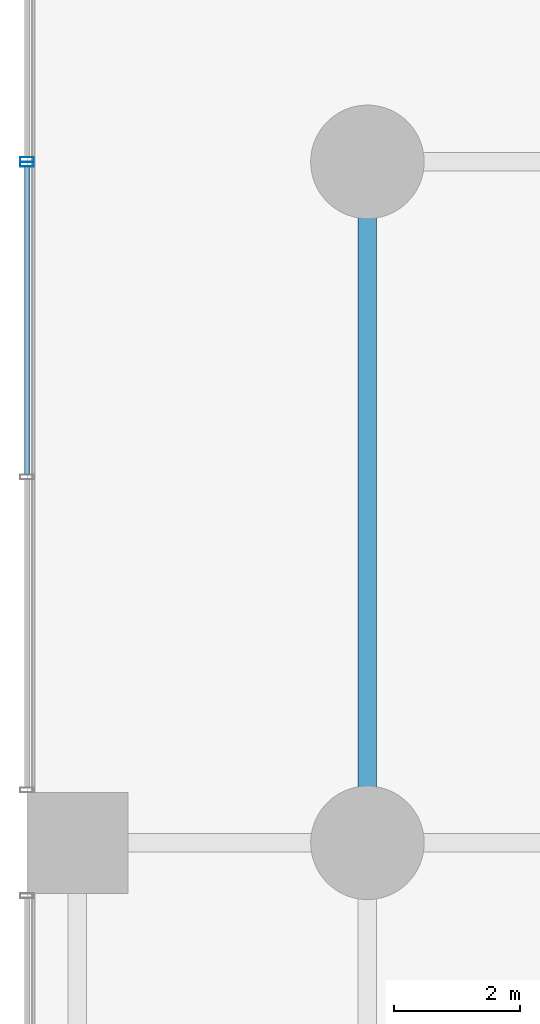
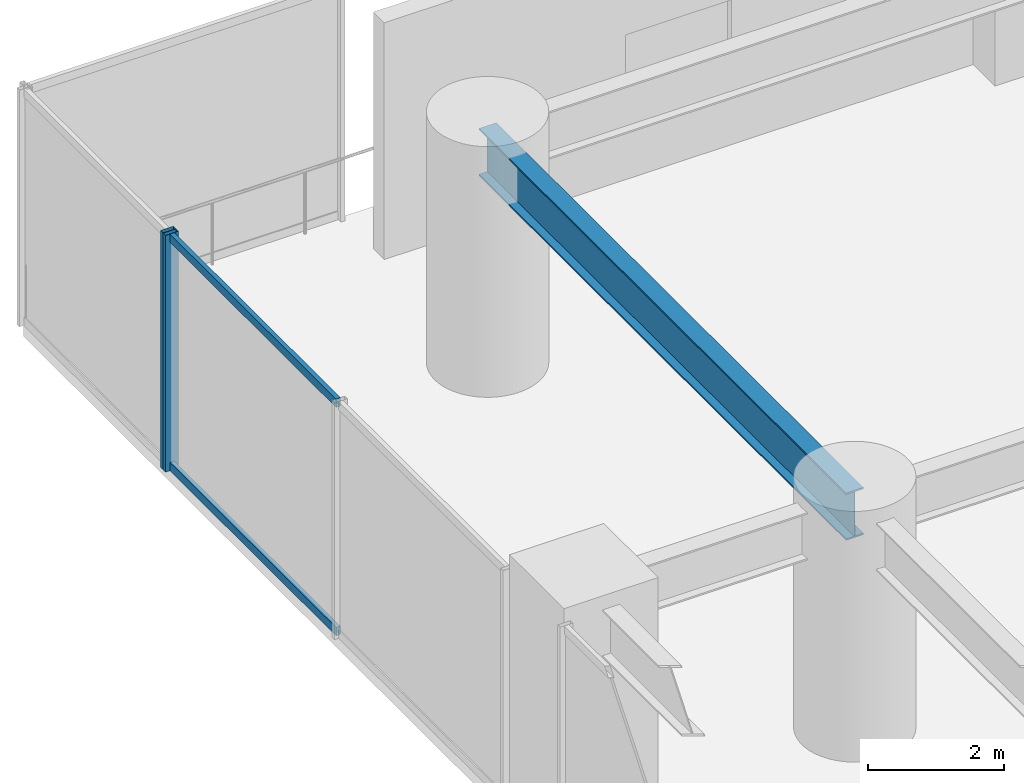
# One storey, part 12 of 36: 4 members, 1 beam, 2 elements without a shape of their own.
"""IFC4 building model written with IfcOpenShell, lengths in metres."""

from ifc_helpers import new_model, si_unit, direction, frame, origin, origin_2d, place, context, subcontext, project, spatial, hollow_rectangle, i_section, extrude, material, layer, layer_set, material_profile, profile_set, type_object, element, aggregate, save


model = new_model("IFC4")

# Units and contexts
model_context = context("Model", 3, precision=1e-05, world=origin(), true_north=direction((0.0, 1.0)))
body_context = subcontext(model_context, "Body", "Model", "MODEL_VIEW")
ifc_project = project(units=[si_unit("LENGTHUNIT", "METRE"), si_unit("AREAUNIT", "SQUARE_METRE"), si_unit("VOLUMEUNIT", "CUBIC_METRE"), si_unit("PLANEANGLEUNIT", "RADIAN"), si_unit("MASSUNIT", "GRAM", prefix="KILO")], contexts=[model_context])

# Site, building, storey
site_placement = place(None, origin())
site = spatial("IfcSite", under=ifc_project, at=site_placement, CompositionType="ELEMENT")
building_placement = place(site_placement, origin())
building = spatial("IfcBuilding", under=site, at=building_placement, Name="Surkhivell Harbour Commons", CompositionType="ELEMENT")
storey_placement = place(building_placement, frame((0.0, 0.0, 9.0)))
storey = spatial("IfcBuildingStorey", under=building, at=storey_placement, Name="L02", CompositionType="ELEMENT", Elevation=9.0)

# Beam
ifc_material_1 = material(Name="Steel S460", Category="steel")
ifc_material_profile_1 = material_profile(ifc_material_1, i_section(OverallWidth=0.2939453125, OverallDepth=0.85107421875, WebThickness=0.01611328125, FlangeThickness=0.02685546875, at=origin_2d()), Name="UB838x292x226")
ifc_profile_set_1 = profile_set([ifc_material_profile_1], Name="Steel S460")
beam_type = type_object("IfcBeamType", Name="BM-SPN-838", PredefinedType="SPANDREL", material=ifc_profile_set_1)
beam_placement = place(storey_placement, frame((-32.39990234375, 10.800048828125, 3.824462890625), z_axis=(0.0, 1.0, 0.0), x_axis=(-1.0, 0.0, 0.0)))
element("IfcBeam", 1, at=beam_placement, inside=storey, type_object=beam_type, Name="L02 Framing Beam (-32.4,10.8)", PredefinedType="SPANDREL", context=body_context, shape_type="SweptSolid", body=[
    extrude(i_section(OverallWidth=0.2939453125, OverallDepth=0.85107421875, WebThickness=0.01611328125, FlangeThickness=0.02685546875, at=origin_2d()), origin(), (0.0, 0.0, 1.0), 10.800048828125),
])

# Curtain wall, member
ifc_material_2 = material(Name="Anodised pale-metal aluminium and insulated glazing", Category="aluminium")
ifc_layer = layer(ifc_material_2, 0.239990234375)
ifc_layer_set = layer_set([ifc_layer], Name="Anodised pale-metal aluminium and insulated glazing")
curtain_wall_type = type_object("IfcCurtainWallType", Name="CW-SYS-POD", PredefinedType="NOTDEFINED", material=ifc_layer_set)
curtain_wall_1_placement = place(storey_placement, origin())
curtain_wall_1 = element("IfcCurtainWall", 2, at=curtain_wall_1_placement, inside=storey, type_object=curtain_wall_type, Name="L02 Curtain Wall CW-L02-W5", PredefinedType="NOTDEFINED")
ifc_material_3 = material(Name="Anodised pale-metal aluminium alloy 6063-T6", Category="aluminium")
ifc_material_profile_2 = material_profile(ifc_material_3, hollow_rectangle(XDim=0.074951171875, YDim=0.219970703125, WallThickness=0.00390625, at=origin_2d()), Name="ALU-MULL-75x220")
ifc_profile_set_2 = profile_set([ifc_material_profile_2], Name="Anodised pale-metal aluminium alloy 6063-T6")
member_type_1 = type_object("IfcMemberType", Name="CWM-220", PredefinedType="MULLION", material=ifc_profile_set_2)
member_1_placement = place(storey_placement, frame((-37.800048828125, 21.5625, 0.0), z_axis=(0.0, 0.0, 1.0), x_axis=(0.0, 1.0, 0.0)))
member_1 = element("IfcMember", 3, at=member_1_placement, type_object=member_type_1, Name="CW-POD mullion 3", PredefinedType="MULLION", context=body_context, shape_type="SweptSolid", body=[
    extrude(hollow_rectangle(XDim=0.074951171875, YDim=0.219970703125, WallThickness=0.00390625, at=origin_2d()), origin(), (0.0, 0.0, 1.0), 4.25),
])

curtain_wall_2_placement = place(storey_placement, origin())
curtain_wall_2 = element("IfcCurtainWall", 4, at=curtain_wall_2_placement, inside=storey, type_object=curtain_wall_type, Name="L02 Curtain Wall CW-L02-W6", PredefinedType="NOTDEFINED")
member_2_placement = place(storey_placement, frame((-37.800048828125, 21.637451171875, 0.0), z_axis=(0.0, 0.0, 1.0), x_axis=(0.0, 1.0, 0.0)))
member_2 = element("IfcMember", 5, at=member_2_placement, type_object=member_type_1, Name="CW-POD mullion 1", PredefinedType="MULLION", context=body_context, shape_type="SweptSolid", body=[
    extrude(hollow_rectangle(XDim=0.074951171875, YDim=0.219970703125, WallThickness=0.00390625, at=origin_2d()), origin(), (0.0, 0.0, 1.0), 4.25),
])
aggregate(curtain_wall_2, [member_2])

# Member
ifc_material_profile_3 = material_profile(ifc_material_3, hollow_rectangle(XDim=0.074951171875, YDim=0.14990234375, WallThickness=0.00341796875, at=origin_2d()), Name="ALU-TRAN-75x150")
ifc_profile_set_3 = profile_set([ifc_material_profile_3], Name="Anodised pale-metal aluminium alloy 6063-T6")
member_type_2 = type_object("IfcMemberType", Name="CWT-150", PredefinedType="USERDEFINED", material=ifc_profile_set_3)
member_3_placement = place(storey_placement, frame((-37.800048828125, 16.638427734375, 0.074951171875), z_axis=(0.0, 1.0, 0.0), x_axis=(-1.0, 0.0, 0.0)))
member_3 = element("IfcMember", 6, at=member_3_placement, type_object=member_type_2, Name="CW-POD transom 2.1", ObjectType="TRANSOM", PredefinedType="USERDEFINED", context=body_context, shape_type="SweptSolid", body=[
    extrude(hollow_rectangle(XDim=0.074951171875, YDim=0.14990234375, WallThickness=0.00341796875, at=origin_2d()), origin(), (0.0, 0.0, 1.0), 4.886474609375),
])

member_4_placement = place(storey_placement, frame((-37.800048828125, 16.638427734375, 4.175048828125), z_axis=(0.0, 1.0, 0.0), x_axis=(-1.0, 0.0, 0.0)))
member_4 = element("IfcMember", 7, at=member_4_placement, type_object=member_type_2, Name="CW-POD transom 2.2", ObjectType="TRANSOM", PredefinedType="USERDEFINED", context=body_context, shape_type="SweptSolid", body=[
    extrude(hollow_rectangle(XDim=0.074951171875, YDim=0.14990234375, WallThickness=0.00341796875, at=origin_2d()), origin(), (0.0, 0.0, 1.0), 4.886474609375),
])

aggregate(curtain_wall_1, [member_1, member_3, member_4])

save(model, "model.ifc")
